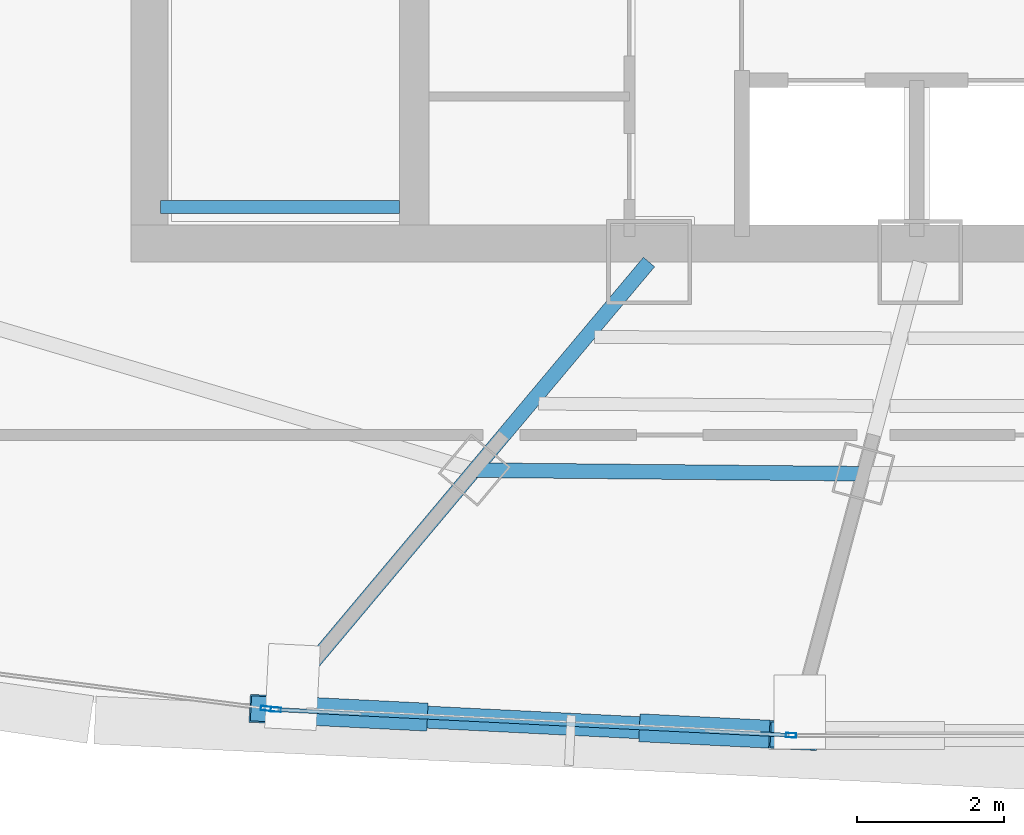
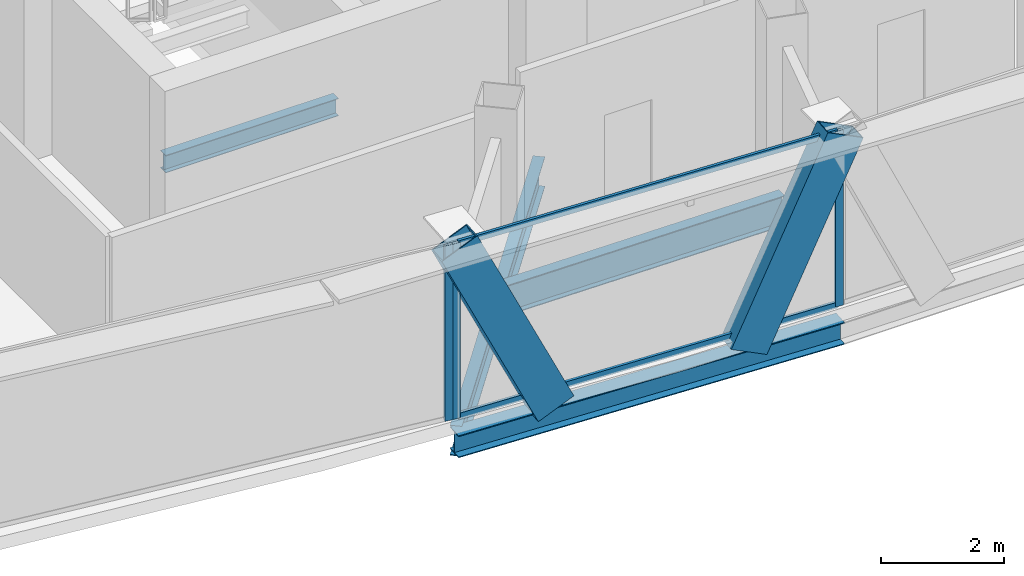
# One storey, part 6 of 34: 7 members, 4 beams, 2 elements without a shape of their own.
"""IFC4 building model written with IfcOpenShell, lengths in metres."""

import ifcopenshell
import ifcopenshell.guid

model = None  # the IFC model being written
_history = None  # IfcOwnerHistory: only IFC2X3 demands one
_inside = {}  # id of a spatial element -> (the spatial element, [elements in it])
_under = {}  # id of a project, library or spatial element -> (it, [spatial elements below it])
_declared = {}  # id of a project -> (the project, [libraries it declares])
_typed = {}  # id of a type object -> (the type object, [elements of that type])
_made_of = {}  # id of a material, layer set ... -> (it, [elements and type objects made of it])


def new_model(schema):
    """Start an empty IFC model of exactly this schema.

    Asked for "IFC4X3", IfcOpenShell would pick the latest addendum, in which some entities
    have other attributes; the version numbers below select the first issue.
    IFC2X3 requires an IfcOwnerHistory on every rooted entity: one is made here for all.
    """
    global model, _history
    if schema == "IFC4X3":
        model = ifcopenshell.file(schema_version=(4, 3, 0, 0))
    else:
        model = ifcopenshell.file(schema=schema)
    _inside.clear()
    _under.clear()
    _declared.clear()
    _typed.clear()
    _made_of.clear()
    _history = None
    if model.schema == "IFC2X3":
        org = make("IfcOrganization", Name="unknown")
        user = make(
            "IfcPersonAndOrganization",
            ThePerson=make("IfcPerson", FamilyName="unknown"),
            TheOrganization=org,
        )
        app = make(
            "IfcApplication",
            ApplicationDeveloper=org,
            Version="unknown",
            ApplicationFullName="unknown",
            ApplicationIdentifier="unknown",
        )
        _history = make(
            "IfcOwnerHistory",
            OwningUser=user,
            OwningApplication=app,
            ChangeAction="ADDED",
            CreationDate=0,
        )
    return model


def make(cls, **values):
    """One entity of the class cls with the attributes given. An attribute that is None is left unset."""
    return model.create_entity(
        cls, **{name: value for name, value in values.items() if value is not None}
    )


def rooted(cls, **values):
    """An entity with a GlobalId (a new one), such as an element, a storey or a relation."""
    return make(cls, GlobalId=ifcopenshell.guid.new(), OwnerHistory=_history, **values)


def si_unit(unit_type, name, prefix=None):
    """IfcSIUnit, for example si_unit("LENGTHUNIT", "METRE", prefix="MILLI")."""
    return make("IfcSIUnit", UnitType=unit_type, Prefix=prefix, Name=name)


def assignment(units):
    """IfcUnitAssignment: the units of a project."""
    return None if units is None else make("IfcUnitAssignment", Units=units)


def point(xyz):
    """IfcCartesianPoint."""
    return None if xyz is None else make("IfcCartesianPoint", Coordinates=xyz)


def direction(xyz):
    """IfcDirection."""
    return None if xyz is None else make("IfcDirection", DirectionRatios=xyz)


def frame(location, z_axis=None, x_axis=None):
    """IfcAxis2Placement3D, a coordinate frame: its origin and axes. An axis left out is left unset."""
    return make(
        "IfcAxis2Placement3D",
        Location=point(location),
        Axis=direction(z_axis),
        RefDirection=direction(x_axis),
    )


def frame_2d(location, x_axis=None):
    """IfcAxis2Placement2D, a coordinate frame in the plane: its origin and x axis."""
    return make(
        "IfcAxis2Placement2D", Location=point(location), RefDirection=direction(x_axis)
    )


def origin():
    """The frame at (0, 0, 0) with its axes left unset."""
    return frame((0.0, 0.0, 0.0))


def origin_2d():
    """The frame at (0, 0) in the plane with its x axis left unset."""
    return frame_2d((0.0, 0.0))


def place(relative_to, where):
    """IfcLocalPlacement: puts the frame where relative to a parent placement (None: the world)."""
    return make(
        "IfcLocalPlacement", PlacementRelTo=relative_to, RelativePlacement=where
    )


def context(
    kind, dimensions, precision=None, world=None, true_north=None, identifier=None
):
    """IfcGeometricRepresentationContext, for example the 3D "Model" context."""
    return make(
        "IfcGeometricRepresentationContext",
        ContextIdentifier=identifier,
        ContextType=kind,
        CoordinateSpaceDimension=dimensions,
        Precision=precision,
        WorldCoordinateSystem=world,
        TrueNorth=true_north,
    )


def subcontext(parent, identifier, kind, view, scale=None):
    """IfcGeometricRepresentationSubContext, for example "Body" below "Model"."""
    return make(
        "IfcGeometricRepresentationSubContext",
        ContextIdentifier=identifier,
        ContextType=kind,
        ParentContext=parent,
        TargetScale=scale,
        TargetView=view,
    )


def project(units=None, contexts=None):
    """IfcProject with its units and contexts."""
    return rooted(
        "IfcProject",
        Name="project",
        RepresentationContexts=contexts,
        UnitsInContext=assignment(units),
    )


def spatial(cls, under=None, at=None, **own):
    """A site, building, storey or space (cls), placed at a placement, below another one or the project."""
    s = rooted(cls, ObjectPlacement=at, **own)
    if under is not None:
        _under.setdefault(under.id(), (under, []))[1].append(s)
    return s


def profile(cls, at=None, kind="AREA", **sizes):
    """A parametric profile (cls). Its sizes go by their IFC names, for example OverallWidth=200.0."""
    return make(cls, ProfileType=kind, Position=at, **sizes)


def hollow_rectangle(**sizes):
    """IfcRectangleHollowProfileDef."""
    return profile("IfcRectangleHollowProfileDef", **sizes)


def i_section(**sizes):
    """IfcIShapeProfileDef."""
    return profile("IfcIShapeProfileDef", **sizes)


def extrude(swept, where, along, depth):
    """IfcExtrudedAreaSolid: the profile swept, set in the frame where, extruded along a direction by depth."""
    return make(
        "IfcExtrudedAreaSolid",
        SweptArea=swept,
        Position=where,
        ExtrudedDirection=direction(along),
        Depth=depth,
    )


def shape(context_of_items, identifier, shape_type, items):
    """IfcShapeRepresentation: the items that make up one representation, for example the "Body"."""
    return make(
        "IfcShapeRepresentation",
        ContextOfItems=context_of_items,
        RepresentationIdentifier=identifier,
        RepresentationType=shape_type,
        Items=items,
    )


def source(mapping_origin, context_of_items, identifier, shape_type, items):
    """IfcRepresentationMap: a shape defined once, which mapped items show again and again."""
    return make(
        "IfcRepresentationMap",
        MappingOrigin=mapping_origin,
        MappedRepresentation=shape(context_of_items, identifier, shape_type, items),
    )


def transform(
    local_origin,
    x_axis=None,
    y_axis=None,
    z_axis=None,
    scale=None,
    scale2=None,
    scale3=None,
    uniform=True,
):
    """IfcCartesianTransformationOperator3D, or its non-uniform kind. x_axis, y_axis, z_axis: its Axis1, 2, 3."""
    if uniform:
        return make(
            "IfcCartesianTransformationOperator3D",
            Axis1=direction(x_axis),
            Axis2=direction(y_axis),
            LocalOrigin=point(local_origin),
            Scale=scale,
            Axis3=direction(z_axis),
        )
    return make(
        "IfcCartesianTransformationOperator3DnonUniform",
        Axis1=direction(x_axis),
        Axis2=direction(y_axis),
        LocalOrigin=point(local_origin),
        Scale=scale,
        Axis3=direction(z_axis),
        Scale2=scale2,
        Scale3=scale3,
    )


def mapped(mapping_source, mapping_target):
    """IfcMappedItem: shows the shape of a source again, moved by a transform."""
    return make(
        "IfcMappedItem", MappingSource=mapping_source, MappingTarget=mapping_target
    )


def material(Name=None, Category=None):
    """IfcMaterial."""
    return make("IfcMaterial", Name=Name, Category=Category)


def layer(
    of_material, thickness, ventilated=None, Name=None, Category=None, Priority=None
):
    """IfcMaterialLayer: one layer of a wall or slab, of a material (None: an air gap)."""
    return make(
        "IfcMaterialLayer",
        Material=of_material,
        LayerThickness=thickness,
        IsVentilated=ventilated,
        Name=Name,
        Category=Category,
        Priority=Priority,
    )


def layer_set(layers, Name=None):
    """IfcMaterialLayerSet."""
    return make("IfcMaterialLayerSet", MaterialLayers=layers, LayerSetName=Name)


def material_profile(
    of_material, cross_section, Name=None, Category=None, Priority=None
):
    """IfcMaterialProfile: a cross section and its material."""
    return make(
        "IfcMaterialProfile",
        Name=Name,
        Material=of_material,
        Profile=cross_section,
        Priority=Priority,
        Category=Category,
    )


def profile_set(profiles, Name=None, composite=None):
    """IfcMaterialProfileSet."""
    return make(
        "IfcMaterialProfileSet",
        Name=Name,
        MaterialProfiles=profiles,
        CompositeProfile=composite,
    )


def made_of(thing, what):
    """Note that an element or type object is made of a material, layer set ...; save() writes the relation."""
    if what is not None:
        _made_of.setdefault(what.id(), (what, []))[1].append(thing)
    return thing


def type_object(cls, material=None, **own):
    """A type object (cls), such as IfcWallType, which elements share."""
    return made_of(rooted(cls, **own), material)


def element(
    cls,
    number,
    at=None,
    inside=None,
    cuts=None,
    type_object=None,
    material=None,
    context=None,
    identifier="Body",
    shape_type=None,
    held_by="IfcProductDefinitionShape",
    body=None,
    shapes=None,
    **own,
):
    """One element of the class cls, such as IfcWall. Its Tag is "e" and its number.

    at: its placement. inside: the storey or other place that contains it. cuts: it is an
    opening in that element (IfcRelVoidsElement). A single representation is given by context,
    identifier, shape_type and body (its items); several are given by shapes. held_by: the class
    of the entity that holds the representations. save() writes the other relations.
    """
    e = rooted(cls, Tag="e%d" % number, ObjectPlacement=at, **own)
    if body is not None:
        shapes = [shape(context, identifier, shape_type, body)]
    if shapes is not None:
        e.Representation = make(held_by, Representations=shapes)
    if inside is not None:
        _inside.setdefault(inside.id(), (inside, []))[1].append(e)
    if cuts is not None:
        rooted(
            "IfcRelVoidsElement", RelatingBuildingElement=cuts, RelatedOpeningElement=e
        )
    if type_object is not None:
        _typed.setdefault(type_object.id(), (type_object, []))[1].append(e)
    return made_of(e, material)


def aggregate(whole, parts):
    """IfcRelAggregates: a whole, such as a stair, and the parts it consists of."""
    return rooted("IfcRelAggregates", RelatingObject=whole, RelatedObjects=parts)


def save(model, path):
    """Write the relations noted so far, then the file.

    IfcRelAggregates (storeys below a building ...), IfcRelContainedInSpatialStructure (elements
    in a storey), IfcRelDefinesByType, IfcRelAssociatesMaterial and IfcRelDeclares: one each for
    every whole, place, type object, material and project.
    """
    for whole, parts in _under.values():
        aggregate(whole, parts)
    for where, things in _inside.values():
        rooted(
            "IfcRelContainedInSpatialStructure",
            RelatedElements=things,
            RelatingStructure=where,
        )
    for kind, things in _typed.values():
        rooted("IfcRelDefinesByType", RelatedObjects=things, RelatingType=kind)
    for what, things in _made_of.values():
        rooted("IfcRelAssociatesMaterial", RelatedObjects=things, RelatingMaterial=what)
    for by, libraries in _declared.values():
        rooted("IfcRelDeclares", RelatingContext=by, RelatedDefinitions=libraries)
    model.write(path)


model = new_model("IFC4")

# Units and contexts
model_context = context("Model", 3, precision=1e-05, world=origin(), true_north=direction((0.0, 1.0)))
body_context = subcontext(model_context, "Body", "Model", "MODEL_VIEW")
ifc_project = project(units=[si_unit("LENGTHUNIT", "METRE"), si_unit("AREAUNIT", "SQUARE_METRE"), si_unit("VOLUMEUNIT", "CUBIC_METRE"), si_unit("PLANEANGLEUNIT", "RADIAN"), si_unit("MASSUNIT", "GRAM", prefix="KILO"), si_unit("THERMODYNAMICTEMPERATUREUNIT", "KELVIN"), si_unit("POWERUNIT", "WATT")], contexts=[model_context])

# Site, building, storey
site_placement = place(None, origin())
site = spatial("IfcSite", under=ifc_project, at=site_placement, CompositionType="ELEMENT")
building_placement = place(site_placement, origin())
building = spatial("IfcBuilding", under=site, at=building_placement, Name="Yunzhuo Pagoda Commons", CompositionType="ELEMENT")
storey_placement = place(building_placement, frame((0.0, 0.0, 333.010009765625)))
storey = spatial("IfcBuildingStorey", under=building, at=storey_placement, Name="L83", CompositionType="ELEMENT", Elevation=333.010009765625)

# Beams
ifc_material_1 = material(Name="Structural steel Q355B", Category="steel")
ifc_material_profile_1 = material_profile(ifc_material_1, i_section(OverallWidth=0.175048828125, OverallDepth=0.35009765625, WebThickness=0.007080078125, FlangeThickness=0.010986328125, at=origin_2d()), Name="Structural steel Q355B")
ifc_profile_set_1 = profile_set([ifc_material_profile_1], Name="Structural steel Q355B")
beam_type_1 = type_object("IfcBeamType", Name="B-JS2 Joist HN 350x175x7x11", PredefinedType="JOIST", material=ifc_profile_set_1)
shared_shape_1 = source(origin(), body_context, "Body", "SweptSolid", [
    extrude(i_section(OverallWidth=0.175048828125, OverallDepth=0.35009765625, WebThickness=0.007080078125, FlangeThickness=0.010986328125, at=origin_2d()), origin(), (0.0, 0.0, 1.0), 3.25),
])
beam_1_placement = place(storey_placement, frame((35.949951171875, 28.0, 1.5), z_axis=(1.0, 0.0, 0.0), x_axis=(0.0, 1.0, 0.0)))
element("IfcBeam", 1, at=beam_1_placement, inside=storey, type_object=beam_type_1, Name="L83 ST1 landing support beam 89A", PredefinedType="JOIST", context=body_context, shape_type="MappedRepresentation", body=[
    mapped(shared_shape_1, transform((0.0, 0.0, 0.0), scale=1.0)),
])
ifc_material_profile_2 = material_profile(ifc_material_1, i_section(OverallWidth=0.300048828125, OverallDepth=0.43994140625, WebThickness=0.010986328125, FlangeThickness=0.01806640625, at=origin_2d()), Name="Structural steel Q355B")
ifc_profile_set_2 = profile_set([ifc_material_profile_2], Name="Structural steel Q355B")
beam_type_2 = type_object("IfcBeamType", Name="B-SP2 Beam HM 440x300x11x18", PredefinedType="BEAM", material=ifc_profile_set_2)
shared_shape_2 = source(origin(), body_context, "Body", "SweptSolid", [
    extrude(i_section(OverallWidth=0.300048828125, OverallDepth=0.43994140625, WebThickness=0.010986328125, FlangeThickness=0.01806640625, at=origin_2d()), origin(), (0.0, 0.0, 1.0), 7.0712890625),
])
beam_2_placement = place(storey_placement, frame((37.485595703125, 21.16943359375, -0.47998046875), z_axis=(0.998758186738, -0.049820522105, 0.0), x_axis=(0.049820522105, 0.998758186738, 0.0)))
element("IfcBeam", 2, at=beam_2_placement, inside=storey, type_object=beam_type_2, Name="L83 facade edge spandrel beam F1.1", PredefinedType="BEAM", context=body_context, shape_type="MappedRepresentation", body=[
    mapped(shared_shape_2, transform((0.0, 0.0, 0.0), scale=1.0)),
])
ifc_material_profile_3 = material_profile(ifc_material_1, i_section(OverallWidth=0.199951171875, OverallDepth=0.60009765625, WebThickness=0.010986328125, FlangeThickness=0.01708984375, at=origin_2d()), Name="Structural steel Q355B")
ifc_profile_set_3 = profile_set([ifc_material_profile_3], Name="Structural steel Q355B")
beam_type_3 = type_object("IfcBeamType", Name="B-RG3 Beam HN 600x200x11x17", PredefinedType="BEAM", material=ifc_profile_set_3)
shared_shape_3 = source(origin(), body_context, "Body", "SweptSolid", [
    extrude(i_section(OverallWidth=0.199951171875, OverallDepth=0.60009765625, WebThickness=0.010986328125, FlangeThickness=0.01708984375, at=origin_2d()), origin(), (0.0, 0.0, 1.0), 5.286376953125),
])
beam_3_placement = place(storey_placement, frame((40.214599609375, 24.421630859375, -0.56005859375), z_axis=(0.999957341442, -0.009236627946, 0.0), x_axis=(0.009236627946, 0.999957341442, 0.0)))
element("IfcBeam", 3, at=beam_3_placement, inside=storey, type_object=beam_type_3, Name="L83 column-ring beam 1", PredefinedType="BEAM", context=body_context, shape_type="MappedRepresentation", body=[
    mapped(shared_shape_3, transform((0.0, 0.0, 0.0), scale=1.0)),
])
shared_shape_4 = source(origin(), body_context, "Body", "SweptSolid", [
    extrude(i_section(OverallWidth=0.199951171875, OverallDepth=0.60009765625, WebThickness=0.010986328125, FlangeThickness=0.01708984375, at=origin_2d()), origin(), (0.0, 0.0, 1.0), 7.78271484375),
])
beam_4_placement = place(storey_placement, frame((37.585205078125, 21.2880859375, -0.56005859375), z_axis=(0.642791052162, 0.766041554526, 0.0), x_axis=(-0.766041554526, 0.642791052162, 0.0)))
element("IfcBeam", 4, at=beam_4_placement, inside=storey, type_object=beam_type_3, Name="L83 radial floor girder F1C1", PredefinedType="BEAM", context=body_context, shape_type="MappedRepresentation", body=[
    mapped(shared_shape_4, transform((0.0, 0.0, 0.0), scale=1.0)),
])

# Members
ifc_material_profile_4 = material_profile(ifc_material_1, hollow_rectangle(XDim=0.3798828125, YDim=0.719970703125, WallThickness=0.02001953125, at=origin_2d()), Name="Structural steel Q355B")
ifc_profile_set_4 = profile_set([ifc_material_profile_4], Name="Structural steel Q355B")
member_type_1 = type_object("IfcMemberType", Name="M-DL3 Brace BOX 720x380x20", PredefinedType="BRACE", material=ifc_profile_set_4)
shared_shape_5 = source(origin(), body_context, "Body", "SweptSolid", [
    extrude(hollow_rectangle(XDim=0.3798828125, YDim=0.719970703125, WallThickness=0.02001953125, at=origin_2d()), origin(), (0.0, 0.0, 1.0), 4.145751953125),
])
for number, where, z_axis, x_axis, name in (
    (5, (39.251220703125, 21.081298828125, -0.260009765625), (-0.425882304074, 0.021258782048, 0.904528787415), (-0.049854961977, -0.998756468197, 0.0), "L83 facade diamond brace F1.1L"),
    (6, (42.782470703125, 20.905029296875, -0.260009765625), (0.425882836499, -0.021199919958, 0.904529918228), (0.049717201424, 0.998763335271, 0.0), "L83 facade diamond brace F1.1R"),
):
    element("IfcMember", number, at=place(storey_placement, frame(where, z_axis=z_axis, x_axis=x_axis)), inside=storey, type_object=member_type_1, Name=name, PredefinedType="BRACE", context=body_context, shape_type="MappedRepresentation", body=[
        mapped(shared_shape_5, transform((0.0, 0.0, 0.0), scale=1.0)),
    ])

# Curtain wall, members
ifc_material_2 = material(Name="Anodized aluminium 6063-T6", Category="aluminium")
ifc_layer = layer(ifc_material_2, 0.139892578125)
ifc_layer_set = layer_set([ifc_layer], Name="Anodized aluminium 6063-T6")
curtain_wall_type = type_object("IfcCurtainWallType", Name="CW-HI High-Zone Ribbon Curtain Wall", PredefinedType="NOTDEFINED", material=ifc_layer_set)
curtain_wall_1_placement = place(storey_placement, origin())
curtain_wall_1 = element("IfcCurtainWall", 7, at=curtain_wall_1_placement, inside=storey, type_object=curtain_wall_type, Name="L83 curtain wall CW-L83-F1B2", PredefinedType="NOTDEFINED")
ifc_material_profile_5 = material_profile(ifc_material_2, hollow_rectangle(XDim=0.06005859375, YDim=0.139892578125, WallThickness=0.00341796875, at=origin_2d()), Name="Anodized aluminium 6063-T6")
ifc_profile_set_5 = profile_set([ifc_material_profile_5], Name="Anodized aluminium 6063-T6")
member_type_2 = type_object("IfcMemberType", Name="CW-HI-M Mullion RHS 140x60x3.5", PredefinedType="MULLION", material=ifc_profile_set_5)
shared_shape_6 = source(origin(), body_context, "Body", "SweptSolid", [
    extrude(hollow_rectangle(XDim=0.06005859375, YDim=0.139892578125, WallThickness=0.00341796875, at=origin_2d()), origin(), (0.0, 0.0, 1.0), 3.489990234375),
])
member_1_placement = place(storey_placement, frame((37.515625, 21.16796875, 0.0), z_axis=(0.0, 0.0, 1.0), x_axis=(0.049850155702, 0.998756708101, 0.0)))
member_1 = element("IfcMember", 8, at=member_1_placement, type_object=member_type_2, Name="CW mullion 1", PredefinedType="MULLION", context=body_context, shape_type="MappedRepresentation", body=[
    mapped(shared_shape_6, transform((0.0, 0.0, 0.0), scale=1.0)),
])
member_2_placement = place(storey_placement, frame((44.51806640625, 20.818359375, 0.0), z_axis=(0.0, 0.0, 1.0), x_axis=(0.049850155702, 0.998756708101, 0.0)))
member_2 = element("IfcMember", 9, at=member_2_placement, type_object=member_type_2, Name="CW mullion 2", PredefinedType="MULLION", context=body_context, shape_type="MappedRepresentation", body=[
    mapped(shared_shape_6, transform((0.0, 0.0, 0.0), scale=1.0)),
])

# Curtain wall, member
curtain_wall_2_placement = place(storey_placement, origin())
curtain_wall_2 = element("IfcCurtainWall", 10, at=curtain_wall_2_placement, inside=storey, type_object=curtain_wall_type, Name="L83 curtain wall CW-L83-F1B1", PredefinedType="NOTDEFINED")
member_3_placement = place(storey_placement, frame((37.38134765625, 21.182861328125, 0.0), z_axis=(0.0, 0.0, 1.0), x_axis=(0.128276018031, 0.991738505453, 0.0)))
member_3 = element("IfcMember", 11, at=member_3_placement, type_object=member_type_2, Name="CW mullion 2", PredefinedType="MULLION", context=body_context, shape_type="MappedRepresentation", body=[
    mapped(shared_shape_6, transform((0.0, 0.0, 0.0), scale=1.0)),
])
aggregate(curtain_wall_2, [member_3])

# Member
ifc_material_profile_6 = material_profile(ifc_material_2, hollow_rectangle(XDim=0.054931640625, YDim=0.1201171875, WallThickness=0.00341796875, at=origin_2d()), Name="Anodized aluminium 6063-T6")
ifc_profile_set_6 = profile_set([ifc_material_profile_6], Name="Anodized aluminium 6063-T6")
member_type_3 = type_object("IfcMemberType", Name="CW-HI-T Transom RHS 120x55x3.5", PredefinedType="USERDEFINED", material=ifc_profile_set_6)
shared_shape_7 = source(origin(), body_context, "Body", "SweptSolid", [
    extrude(hollow_rectangle(XDim=0.054931640625, YDim=0.1201171875, WallThickness=0.00341796875, at=origin_2d()), origin(), (0.0, 0.0, 1.0), 6.951171875),
])
member_4_placement = place(storey_placement, frame((37.54541015625, 21.16650390625, 0.027587890625), z_axis=(0.99875557743, -0.04987280374, 0.0), x_axis=(0.04987280374, 0.99875557743, 0.0)))
member_4 = element("IfcMember", 12, at=member_4_placement, type_object=member_type_3, Name="CW transom 1.1", ObjectType="TRANSOM", PredefinedType="USERDEFINED", context=body_context, shape_type="MappedRepresentation", body=[
    mapped(shared_shape_7, transform((0.0, 0.0, 0.0), scale=1.0)),
])

member_5_placement = place(storey_placement, frame((37.54541015625, 21.16650390625, 3.46240234375), z_axis=(0.99875557743, -0.04987280374, 0.0), x_axis=(0.04987280374, 0.99875557743, 0.0)))
member_5 = element("IfcMember", 13, at=member_5_placement, type_object=member_type_3, Name="CW transom 1.2", ObjectType="TRANSOM", PredefinedType="USERDEFINED", context=body_context, shape_type="MappedRepresentation", body=[
    mapped(shared_shape_7, transform((0.0, 0.0, 0.0), scale=1.0)),
])

aggregate(curtain_wall_1, [member_1, member_2, member_4, member_5])

save(model, "model.ifc")
